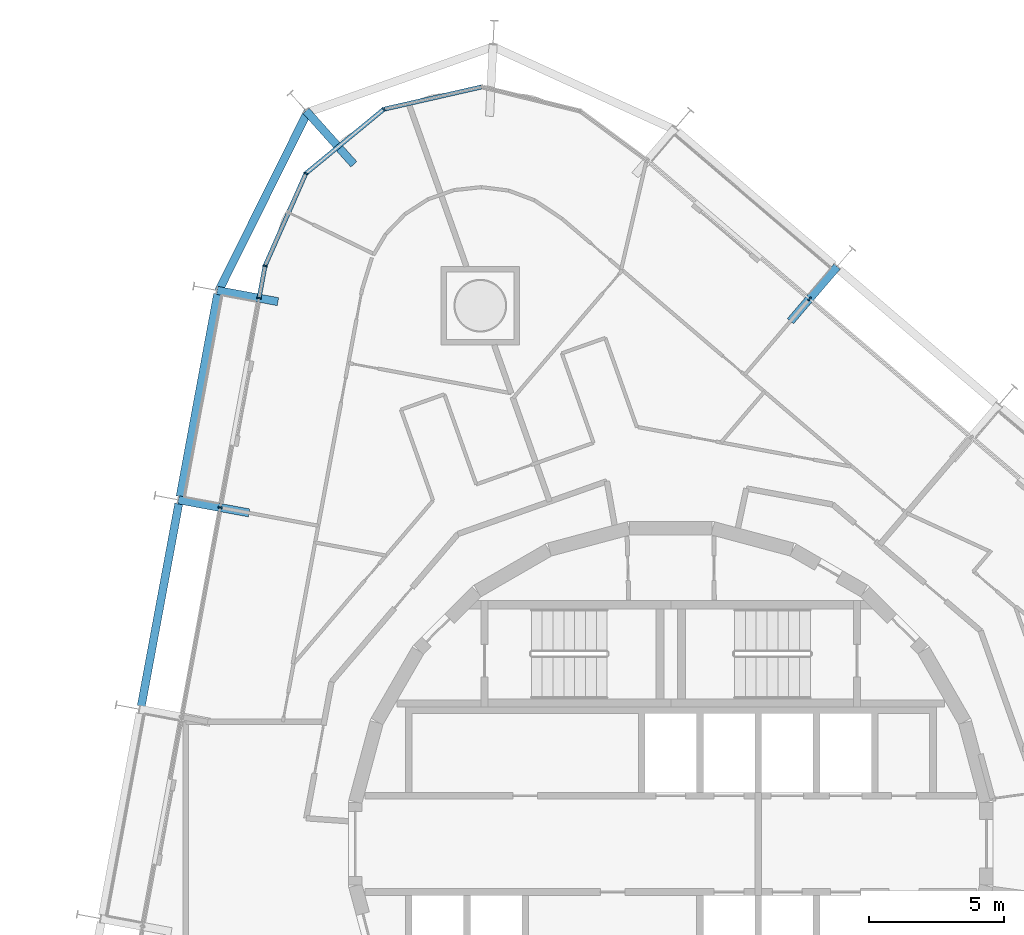
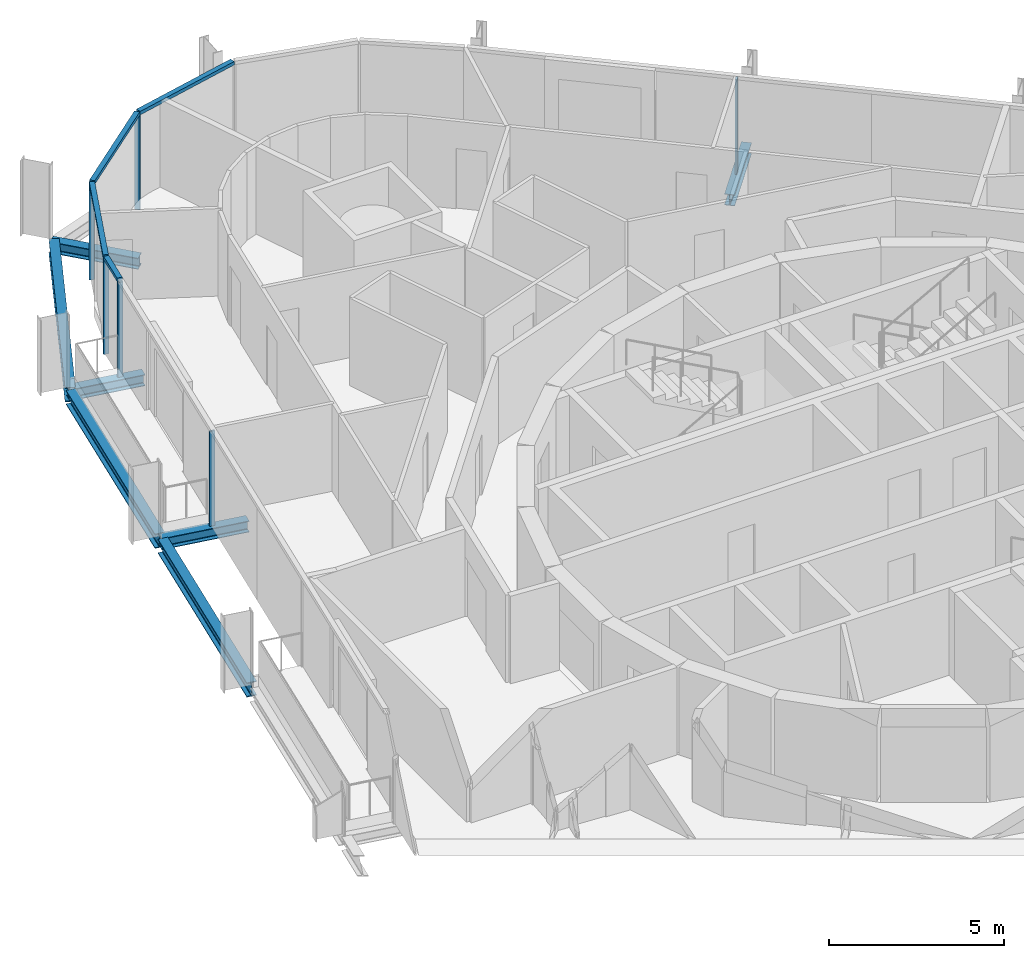
# One storey, part 6 of 17: 10 members, 7 beams, 3 elements without a shape of their own.
"""IFC4 building model written with IfcOpenShell, lengths in metres."""

from ifc_helpers import new_model, si_unit, direction, frame, origin, origin_2d, place, context, subcontext, project, spatial, rectangle, i_section, extrude, material, layer, layer_set, material_profile, profile_set, type_object, element, aggregate, save


model = new_model("IFC4")

# Units and contexts
model_context = context("Model", 3, precision=1e-05, world=origin(), true_north=direction((0.0, 1.0)))
body_context = subcontext(model_context, "Body", "Model", "MODEL_VIEW")
ifc_project = project(units=[si_unit("LENGTHUNIT", "METRE"), si_unit("AREAUNIT", "SQUARE_METRE"), si_unit("VOLUMEUNIT", "CUBIC_METRE"), si_unit("PLANEANGLEUNIT", "RADIAN"), si_unit("MASSUNIT", "GRAM", prefix="KILO")], contexts=[model_context])

# Site, building, storey
site_placement = place(None, origin())
site = spatial("IfcSite", under=ifc_project, at=site_placement, CompositionType="ELEMENT")
building_placement = place(site_placement, origin())
building = spatial("IfcBuilding", under=site, at=building_placement, Name="Spindle Arch Residences", CompositionType="ELEMENT")
storey_placement = place(building_placement, frame((0.0, 0.0, 179.699951171875)))
storey = spatial("IfcBuildingStorey", under=building, at=storey_placement, Name="L45", CompositionType="ELEMENT", Elevation=179.699951171875)

# Curtain wall, member
ifc_material_1 = material(Name="Aluminium bronze unitised frame with tinted glass", Category="aluminium")
ifc_layer_1 = layer(ifc_material_1, 0.159912109375)
ifc_layer_set_1 = layer_set([ifc_layer_1], Name="CW-C typical residential unitised wall")
curtain_wall_type_1 = type_object("IfcCurtainWallType", Name="CW-C typical residential unitised wall", PredefinedType="NOTDEFINED", material=ifc_layer_set_1)
curtain_wall_1_placement = place(storey_placement, origin())
curtain_wall_1 = element("IfcCurtainWall", 1, at=curtain_wall_1_placement, inside=storey, type_object=curtain_wall_type_1, Name="CW-C L45 run 2", PredefinedType="NOTDEFINED")
ifc_material_2 = material(Name="Aluminium bronze anodised mullion", Category="aluminium")
ifc_material_profile_1 = material_profile(ifc_material_2, rectangle(XDim=0.159912109375, YDim=0.06005859375, at=origin_2d()), Name="MU 60x160")
ifc_profile_set_1 = profile_set([ifc_material_profile_1], Name="Aluminium bronze anodised mullion")
member_type_1 = type_object("IfcMemberType", Name="Bronze mullion 60x160", PredefinedType="MULLION", material=ifc_profile_set_1)
member_1_placement = place(storey_placement, frame((5.115234375, 20.10888671875, -0.3798828125), z_axis=(0.0, 0.0, 1.0), x_axis=(-0.64944804833, -0.7604059656, 0.0)))
member_1 = element("IfcMember", 2, at=member_1_placement, type_object=member_type_1, Name="CW-C mullion 08", PredefinedType="MULLION", context=body_context, shape_type="SweptSolid", body=[
    extrude(rectangle(XDim=0.159912109375, YDim=0.06005859375, at=origin_2d()), origin(), (0.0, 0.0, 1.0), 3.309814453125),
])
aggregate(curtain_wall_1, [member_1])

# Curtain wall, members
ifc_material_3 = material(Name="Aluminium bronze unitised frame with tinted glass", Category="aluminium")
ifc_layer_2 = layer(ifc_material_3, 0.159912109375)
ifc_layer_set_2 = layer_set([ifc_layer_2], Name="CW-D corner wall on the fillet arcs")
curtain_wall_type_2 = type_object("IfcCurtainWallType", Name="CW-D corner wall on the fillet arcs", PredefinedType="NOTDEFINED", material=ifc_layer_set_2)
curtain_wall_2_placement = place(storey_placement, origin())
curtain_wall_2 = element("IfcCurtainWall", 3, at=curtain_wall_2_placement, inside=storey, type_object=curtain_wall_type_2, Name="CW-D L45 run 3", PredefinedType="NOTDEFINED")
member_2_placement = place(storey_placement, frame((-10.594970703125, 27.109619140625, -0.3798828125), z_axis=(0.0, 0.0, 1.0), x_axis=(0.636078220709, -0.771624583032, 0.0)))
member_2 = element("IfcMember", 4, at=member_2_placement, type_object=member_type_1, Name="CW-D mullion 03", PredefinedType="MULLION", context=body_context, shape_type="SweptSolid", body=[
    extrude(rectangle(XDim=0.159912109375, YDim=0.06005859375, at=origin_2d()), origin(), (0.0, 0.0, 1.0), 3.309814453125),
])
member_3_placement = place(storey_placement, frame((-13.470703125, 24.739013671875, -0.3798828125), z_axis=(0.0, 0.0, 1.0), x_axis=(0.914724741271, -0.404077526853, 0.0)))
member_3 = element("IfcMember", 5, at=member_3_placement, type_object=member_type_1, Name="CW-D mullion 04", PredefinedType="MULLION", context=body_context, shape_type="SweptSolid", body=[
    extrude(rectangle(XDim=0.159912109375, YDim=0.06005859375, at=origin_2d()), origin(), (0.0, 0.0, 1.0), 3.309814453125),
])
member_4_placement = place(storey_placement, frame((-14.9765625, 21.330078125, -0.3798828125), z_axis=(0.0, 0.0, 1.0), x_axis=(0.983254907564, -0.182235525492, 0.0)))
member_4 = element("IfcMember", 6, at=member_4_placement, type_object=member_type_1, Name="CW-D mullion 05", PredefinedType="MULLION", context=body_context, shape_type="SweptSolid", body=[
    extrude(rectangle(XDim=0.159912109375, YDim=0.06005859375, at=origin_2d()), origin(), (0.0, 0.0, 1.0), 3.309814453125),
])

curtain_wall_3_placement = place(storey_placement, origin())
curtain_wall_3 = element("IfcCurtainWall", 7, at=curtain_wall_3_placement, inside=storey, type_object=curtain_wall_type_1, Name="CW-C L45 run 4", PredefinedType="NOTDEFINED")
member_5_placement = place(storey_placement, frame((-15.19775390625, 20.136962890625, -0.3798828125), z_axis=(0.0, 0.0, 1.0), x_axis=(0.983254907564, -0.182235525492, 0.0)))
member_5 = element("IfcMember", 8, at=member_5_placement, type_object=member_type_1, Name="CW-C mullion 12", PredefinedType="MULLION", context=body_context, shape_type="SweptSolid", body=[
    extrude(rectangle(XDim=0.159912109375, YDim=0.06005859375, at=origin_2d()), origin(), (0.0, 0.0, 1.0), 3.309814453125),
])
member_6_placement = place(storey_placement, frame((-16.630126953125, 12.408447265625, -0.3798828125), z_axis=(0.0, 0.0, 1.0), x_axis=(0.983254907564, -0.182235525492, 0.0)))
member_6 = element("IfcMember", 9, at=member_6_placement, type_object=member_type_1, Name="CW-C mullion 13", PredefinedType="MULLION", context=body_context, shape_type="SweptSolid", body=[
    extrude(rectangle(XDim=0.159912109375, YDim=0.06005859375, at=origin_2d()), origin(), (0.0, 0.0, 1.0), 3.309814453125),
])
aggregate(curtain_wall_3, [member_5, member_6])

# Member
ifc_material_4 = material(Name="Aluminium bronze anodised transom", Category="aluminium")
ifc_material_profile_2 = material_profile(ifc_material_4, rectangle(XDim=0.159912109375, YDim=0.1201171875, at=origin_2d()), Name="TR 120x160")
ifc_profile_set_2 = profile_set([ifc_material_profile_2], Name="Aluminium bronze anodised transom")
member_type_2 = type_object("IfcMemberType", Name="Bronze transom 120x160", PredefinedType="USERDEFINED", material=ifc_profile_set_2)
member_7_placement = place(storey_placement, frame((-6.99072265625, 27.9306640625, 2.989990234375), z_axis=(-0.975020234813, -0.222116054585, 0.0), x_axis=(0.222116054585, -0.975020234813, 0.0)))
member_7 = element("IfcMember", 10, at=member_7_placement, type_object=member_type_2, Name="CW-D transom 02", ObjectType="TRANSOM", PredefinedType="USERDEFINED", context=body_context, shape_type="SweptSolid", body=[
    extrude(rectangle(XDim=0.159912109375, YDim=0.1201171875, at=origin_2d()), origin(), (0.0, 0.0, 1.0), 3.666748046875),
])

member_8_placement = place(storey_placement, frame((-10.6181640625, 27.09033203125, 2.989990234375), z_axis=(-0.771632242696, -0.63606892868, 0.0), x_axis=(0.63606892868, -0.771632242696, 0.0)))
member_8 = element("IfcMember", 11, at=member_8_placement, type_object=member_type_2, Name="CW-D transom 03", ObjectType="TRANSOM", PredefinedType="USERDEFINED", context=body_context, shape_type="SweptSolid", body=[
    extrude(rectangle(XDim=0.159912109375, YDim=0.1201171875, at=origin_2d()), origin(), (0.0, 0.0, 1.0), 3.666748046875),
])

member_9_placement = place(storey_placement, frame((-13.48291015625, 24.711669921875, 2.989990234375), z_axis=(-0.404067984384, -0.914728956575, 0.0), x_axis=(0.914728956575, -0.404067984384, 0.0)))
member_9 = element("IfcMember", 12, at=member_9_placement, type_object=member_type_2, Name="CW-D transom 04", ObjectType="TRANSOM", PredefinedType="USERDEFINED", context=body_context, shape_type="SweptSolid", body=[
    extrude(rectangle(XDim=0.159912109375, YDim=0.1201171875, at=origin_2d()), origin(), (0.0, 0.0, 1.0), 3.6669921875),
])

member_10_placement = place(storey_placement, frame((-14.982177734375, 21.300537109375, 2.989990234375), z_axis=(-0.182256018308, -0.983251109224, 0.0), x_axis=(0.983251109224, -0.182256018308, 0.0)))
member_10 = element("IfcMember", 13, at=member_10_placement, type_object=member_type_2, Name="CW-D transom 05", ObjectType="TRANSOM", PredefinedType="USERDEFINED", context=body_context, shape_type="SweptSolid", body=[
    extrude(rectangle(XDim=0.159912109375, YDim=0.1201171875, at=origin_2d()), origin(), (0.0, 0.0, 1.0), 1.1533203125),
])

aggregate(curtain_wall_2, [member_7, member_2, member_8, member_3, member_9, member_4, member_10])

# Beams
ifc_material_5 = material(Name="Steel S460ML, intumescent coating R 120", Category="steel")
ifc_material_profile_3 = material_profile(ifc_material_5, i_section(OverallWidth=0.300048828125, OverallDepth=0.5, WebThickness=0.014404296875, FlangeThickness=0.028076171875, FilletRadius=0.027099609375, at=origin_2d()), Name="HEB 500")
ifc_profile_set_3 = profile_set([ifc_material_profile_3], Name="Steel S460ML, intumescent coating R 120")
beam_type_1 = type_object("IfcBeamType", Name="Exoskeleton edge beam HEB 500", PredefinedType="BEAM", material=ifc_profile_set_3)
beam_1_placement = place(storey_placement, frame((-13.39404296875, 27.031005859375, -0.6298828125), z_axis=(-0.445068669434, -0.895496443035, 0.0), x_axis=(0.895496443035, -0.445068669434, 0.0)))
element("IfcBeam", 14, at=beam_1_placement, inside=storey, type_object=beam_type_1, Name="Exoskeleton edge beam 12", PredefinedType="BEAM", context=body_context, shape_type="SweptSolid", body=[
    extrude(i_section(OverallWidth=0.300048828125, OverallDepth=0.5, WebThickness=0.014404296875, FlangeThickness=0.028076171875, FilletRadius=0.027099609375, at=origin_2d()), origin(), (0.0, 0.0, 1.0), 7.42578125),
])
for number, where, z_axis, x_axis, name in (
    (15, (-16.725830078125, 20.2880859375, -0.6298828125), (-0.182234195466, -0.983255154069, 0.0), (0.983255154069, -0.182234195466, 0.0), "Exoskeleton edge beam 13"),
    (16, (-18.158203125, 12.5595703125, -0.6298828125), (-0.182234195466, -0.983255154069, 0.0), (0.983255154069, -0.182234195466, 0.0), "Exoskeleton edge beam 14"),
):
    element("IfcBeam", number, at=place(storey_placement, frame(where, z_axis=z_axis, x_axis=x_axis)), inside=storey, type_object=beam_type_1, Name=name, PredefinedType="BEAM", context=body_context, shape_type="SweptSolid", body=[
        extrude(i_section(OverallWidth=0.300048828125, OverallDepth=0.5, WebThickness=0.014404296875, FlangeThickness=0.028076171875, FilletRadius=0.027099609375, at=origin_2d()), origin(), (0.0, 0.0, 1.0), 7.60009765625),
    ])
ifc_material_6 = material(Name="Steel S460ML, intumescent coating R 120", Category="steel")
ifc_material_profile_4 = material_profile(ifc_material_6, i_section(OverallWidth=0.300048828125, OverallDepth=0.389892578125, WebThickness=0.010986328125, FlangeThickness=0.01904296875, FilletRadius=0.027099609375, at=origin_2d()), Name="HEA 400")
ifc_profile_set_4 = profile_set([ifc_material_profile_4], Name="Steel S460ML, intumescent coating R 120")
beam_type_2 = type_object("IfcBeamType", Name="Floor outrigger HEA 400", PredefinedType="BEAM", material=ifc_profile_set_4)
for number, where, z_axis, x_axis, name in (
    (17, (6.134765625, 21.302734375, -0.574951171875), (-0.64941704551, -0.760432443417, 0.0), (0.760432443417, -0.64941704551, 0.0), "Floor outrigger 9"),
    (18, (-13.46337890625, 27.052001953125, -0.574951171875), (0.666477017118, -0.745525576793, 0.0), (0.745525576793, 0.666477017118, 0.0), "Floor outrigger 12"),
):
    element("IfcBeam", number, at=place(storey_placement, frame(where, z_axis=z_axis, x_axis=x_axis)), inside=storey, type_object=beam_type_2, Name=name, PredefinedType="BEAM", context=body_context, shape_type="SweptSolid", body=[
        extrude(i_section(OverallWidth=0.300048828125, OverallDepth=0.389892578125, WebThickness=0.010986328125, FlangeThickness=0.01904296875, FilletRadius=0.027099609375, at=origin_2d()), origin(), (0.0, 0.0, 1.0), 2.64990234375),
    ])
beam_2_placement = place(storey_placement, frame((-16.741455078125, 20.423095703125, -0.574951171875), z_axis=(0.983259266178, -0.182212006947, 0.0), x_axis=(0.182212006947, 0.983259266178, 0.0)))
element("IfcBeam", 19, at=beam_2_placement, inside=storey, type_object=beam_type_2, Name="Floor outrigger 13", PredefinedType="BEAM", context=body_context, shape_type="SweptSolid", body=[
    extrude(i_section(OverallWidth=0.300048828125, OverallDepth=0.389892578125, WebThickness=0.010986328125, FlangeThickness=0.01904296875, FilletRadius=0.027099609375, at=origin_2d()), origin(), (0.0, 0.0, 1.0), 2.279052734375),
])
beam_3_placement = place(storey_placement, frame((-18.173828125, 12.694580078125, -0.574951171875), z_axis=(0.98325694826, -0.182224514537, 0.0), x_axis=(0.182224514537, 0.98325694826, 0.0)))
element("IfcBeam", 20, at=beam_3_placement, inside=storey, type_object=beam_type_2, Name="Floor outrigger 14", PredefinedType="BEAM", context=body_context, shape_type="SweptSolid", body=[
    extrude(i_section(OverallWidth=0.300048828125, OverallDepth=0.389892578125, WebThickness=0.010986328125, FlangeThickness=0.01904296875, FilletRadius=0.027099609375, at=origin_2d()), origin(), (0.0, 0.0, 1.0), 2.650146484375),
])

save(model, "model.ifc")
